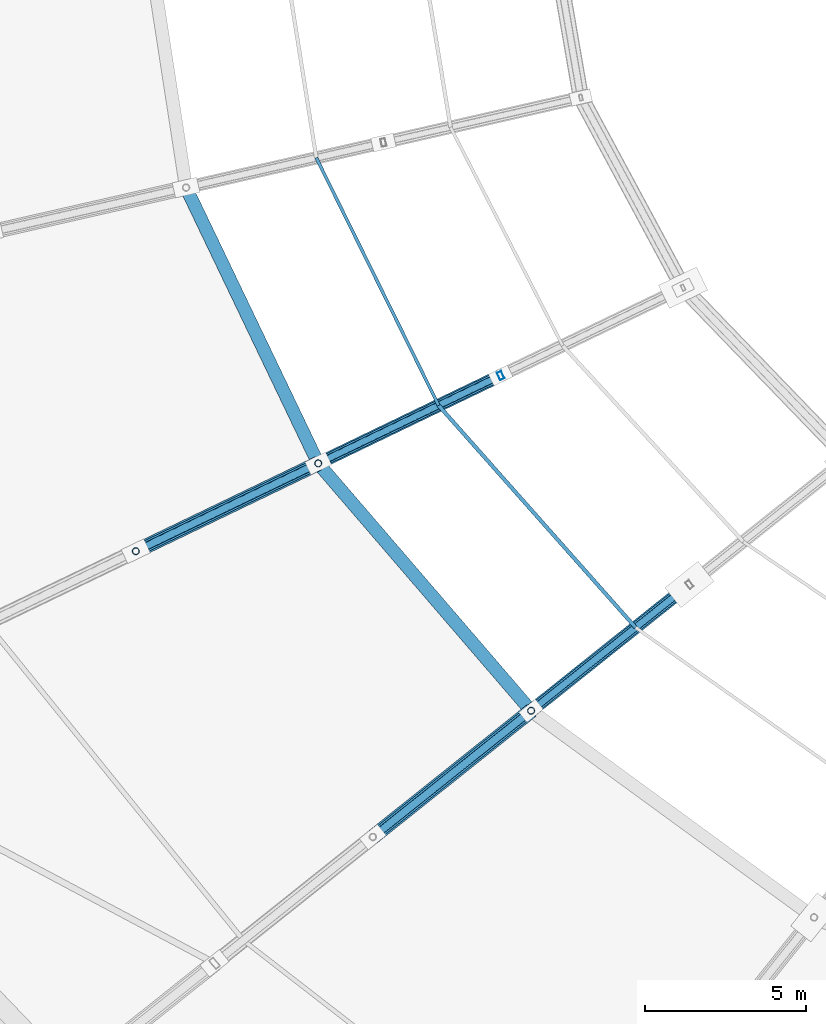
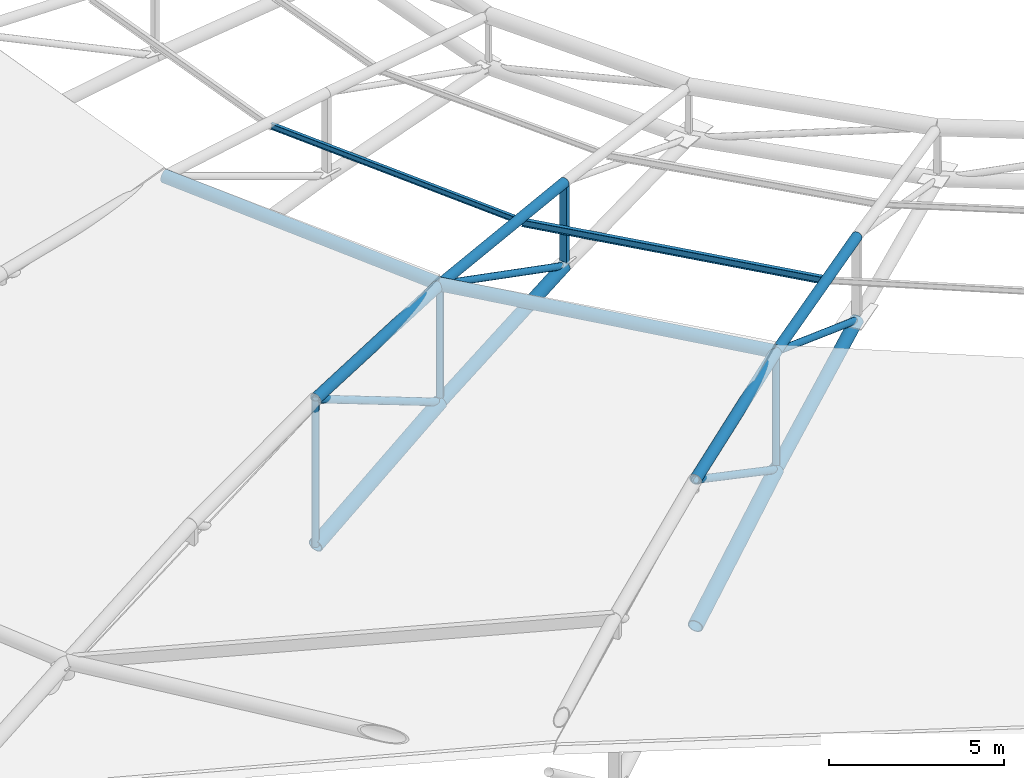
# One storey, part 11 of 108: 20 members.
"""IFC4 building model written with IfcOpenShell, lengths in metres."""

from ifc_helpers import new_model, si_unit, direction, frame, origin, origin_2d, place, context, subcontext, project, spatial, hollow_rectangle, hollow_circle, i_section, extrude, material, material_profile, profile_set, type_object, element, save


model = new_model("IFC4")

# Units and contexts
model_context = context("Model", 3, precision=1e-05, world=origin(), true_north=direction((0.0, 1.0)))
body_context = subcontext(model_context, "Body", "Model", "MODEL_VIEW")
ifc_project = project(units=[si_unit("LENGTHUNIT", "METRE"), si_unit("AREAUNIT", "SQUARE_METRE"), si_unit("VOLUMEUNIT", "CUBIC_METRE"), si_unit("PLANEANGLEUNIT", "RADIAN"), si_unit("MASSUNIT", "GRAM", prefix="KILO")], contexts=[model_context])

# Site, building, storey
site_placement = place(None, origin())
site = spatial("IfcSite", under=ifc_project, at=site_placement, CompositionType="ELEMENT")
building_placement = place(site_placement, origin())
building = spatial("IfcBuilding", under=site, at=building_placement, Name="Zevraka Park Crest Stadium", CompositionType="ELEMENT")
storey_placement = place(building_placement, frame((0.0, 0.0, 29.39990234375)))
storey = spatial("IfcBuildingStorey", under=building, at=storey_placement, Name="RF", CompositionType="ELEMENT", Elevation=29.39990234375)

# Members
ifc_material_1 = material(Name="Steel S355", Category="steel")
ifc_material_profile_1 = material_profile(ifc_material_1, i_section(OverallWidth=0.1201171875, OverallDepth=0.239990234375, WebThickness=0.006103515625, FlangeThickness=0.009765625, at=origin_2d()), Name="IPE 240")
ifc_profile_set_1 = profile_set([ifc_material_profile_1], Name="Steel S355")
member_type_1 = type_object("IfcMemberType", Name="PR01", PredefinedType="PURLIN", material=ifc_profile_set_1)
member_1_placement = place(storey_placement, frame((65.652099609375, 76.18798828125, 9.153076171875), z_axis=(0.663562824721, -0.748120563578, 0.0), x_axis=(0.748120563578, 0.663562824721, 0.0)))
element("IfcMember", 1, at=member_1_placement, inside=storey, type_object=member_type_1, Name="Canopy Roof Purlin PR01 INNER-17-1", PredefinedType="PURLIN", context=body_context, shape_type="SweptSolid", body=[
    extrude(i_section(OverallWidth=0.1201171875, OverallDepth=0.239990234375, WebThickness=0.006103515625, FlangeThickness=0.009765625, at=origin_2d()), origin(), (0.0, 0.0, 1.0), 9.236328125),
])
ifc_material_2 = material(Name="Steel S355", Category="steel")
ifc_material_profile_2 = material_profile(ifc_material_2, i_section(OverallWidth=0.10009765625, OverallDepth=0.199951171875, WebThickness=0.005615234375, FlangeThickness=0.008544921875, at=origin_2d()), Name="IPE 200")
ifc_profile_set_2 = profile_set([ifc_material_profile_2], Name="Steel S355")
member_type_2 = type_object("IfcMemberType", Name="PR03", PredefinedType="PURLIN", material=ifc_profile_set_2)
member_2_placement = place(storey_placement, frame((61.847900390625, 83.89111328125, 9.173095703125), z_axis=(0.442797799381, -0.896621496989, 0.0), x_axis=(0.896621496989, 0.442797799381, 0.0)))
element("IfcMember", 2, at=member_2_placement, inside=storey, type_object=member_type_2, Name="Canopy Roof Purlin PR03 INNER-16-1", PredefinedType="PURLIN", context=body_context, shape_type="SweptSolid", body=[
    extrude(i_section(OverallWidth=0.10009765625, OverallDepth=0.199951171875, WebThickness=0.005615234375, FlangeThickness=0.008544921875, at=origin_2d()), origin(), (0.0, 0.0, 1.0), 8.59130859375),
])
ifc_material_3 = material(Name="Steel S355", Category="steel")
ifc_material_profile_3 = material_profile(ifc_material_3, hollow_circle(Radius=0.228515625, WallThickness=0.02490234375, at=origin_2d()), Name="CHS 457.0x25")
ifc_profile_set_3 = profile_set([ifc_material_profile_3], Name="Steel S355")
member_type_3 = type_object("IfcMemberType", Name="TC02", PredefinedType="CHORD", material=ifc_profile_set_3)
member_3_placement = place(storey_placement, frame((56.22998046875, 71.65087890625, 3.9501953125), z_axis=(0.880989175528, 0.424219270508, 0.209513921093), x_axis=(-0.433848244141, 0.900985960521, 0.0)))
element("IfcMember", 3, at=member_3_placement, inside=storey, type_object=member_type_3, Name="Roof Truss Bottom Chord TC02 T17-5", PredefinedType="CHORD", context=body_context, shape_type="SweptSolid", body=[
    extrude(hollow_circle(Radius=0.228515625, WallThickness=0.02490234375, at=origin_2d()), origin(), (0.0, 0.0, 1.0), 6.44287109375),
])
member_4_placement = place(storey_placement, frame((63.60498046875, 62.758056640625, 3.9501953125), z_axis=(0.764449300006, 0.609687443008, 0.209519663894), x_axis=(-0.623526977414, 0.781801834506, 0.0)))
element("IfcMember", 4, at=member_4_placement, inside=storey, type_object=member_type_3, Name="Roof Truss Bottom Chord TC02 T18-5", PredefinedType="CHORD", context=body_context, shape_type="SweptSolid", body=[
    extrude(hollow_circle(Radius=0.228515625, WallThickness=0.02490234375, at=origin_2d()), origin(), (0.0, 0.0, 1.0), 6.442626953125),
])
ifc_material_4 = material(Name="Steel S355", Category="steel")
ifc_material_profile_4 = material_profile(ifc_material_4, hollow_circle(Radius=0.203125, WallThickness=0.02001953125, at=origin_2d()), Name="CHS 406.4x20")
ifc_profile_set_4 = profile_set([ifc_material_profile_4], Name="Steel S355")
member_type_4 = type_object("IfcMemberType", Name="TC03", PredefinedType="CHORD", material=ifc_profile_set_4)
member_5_placement = place(storey_placement, frame((61.906005859375, 74.384033203125, 5.300048828125), z_axis=(0.887511721766, 0.427474569243, 0.172012895964), x_axis=(-0.433942615061, 0.900940512373, 0.0)))
element("IfcMember", 5, at=member_5_placement, inside=storey, type_object=member_type_4, Name="Roof Truss Bottom Chord TC03 T17-6", PredefinedType="CHORD", context=body_context, shape_type="SweptSolid", body=[
    extrude(hollow_circle(Radius=0.203125, WallThickness=0.02001953125, at=origin_2d()), origin(), (0.0, 0.0, 1.0), 6.3955078125),
])
member_6_placement = place(storey_placement, frame((68.530029296875, 66.68603515625, 5.300048828125), z_axis=(0.770209161073, 0.614159448506, 0.172005872022), x_axis=(-0.623451415626, 0.781862092926, 0.0)))
element("IfcMember", 6, at=member_6_placement, inside=storey, type_object=member_type_4, Name="Roof Truss Bottom Chord TC03 T18-6", PredefinedType="CHORD", context=body_context, shape_type="SweptSolid", body=[
    extrude(hollow_circle(Radius=0.203125, WallThickness=0.02001953125, at=origin_2d()), origin(), (0.0, 0.0, 1.0), 6.395751953125),
])
member_7_placement = place(storey_placement, frame((57.7939453125, 82.966064453125, 9.400146484375), z_axis=(0.432106270743, -0.901822693651, 0.0), x_axis=(0.901822693651, 0.432106270743, 0.0)))
element("IfcMember", 7, at=member_7_placement, inside=storey, type_object=member_type_4, Name="Roof Canopy Arch Crown Ring Chord TC03 16", PredefinedType="CHORD", context=body_context, shape_type="SweptSolid", body=[
    extrude(hollow_circle(Radius=0.203125, WallThickness=0.02001953125, at=origin_2d()), origin(), (0.0, 0.0, 1.0), 9.516357421875),
])
member_8_placement = place(storey_placement, frame((61.906005859375, 74.384033203125, 9.400146484375), z_axis=(0.652251230259, -0.758002857927, 0.0), x_axis=(0.758002857927, 0.652251230259, 0.0)))
element("IfcMember", 8, at=member_8_placement, inside=storey, type_object=member_type_4, Name="Roof Canopy Arch Crown Ring Chord TC03 17", PredefinedType="CHORD", context=body_context, shape_type="SweptSolid", body=[
    extrude(hollow_circle(Radius=0.203125, WallThickness=0.02001953125, at=origin_2d()), origin(), (0.0, 0.0, 1.0), 10.155517578125),
])
ifc_material_5 = material(Name="Steel S355", Category="steel")
ifc_material_profile_5 = material_profile(ifc_material_5, hollow_circle(Radius=0.161865234375, WallThickness=0.01611328125, at=origin_2d()), Name="CHS 323.9x16")
ifc_profile_set_5 = profile_set([ifc_material_profile_5], Name="Steel S355")
member_type_5 = type_object("IfcMemberType", Name="TC04", PredefinedType="CHORD", material=ifc_profile_set_5)
member_9_placement = place(storey_placement, frame((61.906005859375, 74.384033203125, 9.400146484375), z_axis=(0.900826818961, 0.433887854047, -0.015886231484), x_axis=(-0.433942615061, 0.900940512373, 0.0)))
element("IfcMember", 9, at=member_9_placement, inside=storey, type_object=member_type_5, Name="Roof Truss Top Chord TC04 T17-6", PredefinedType="CHORD", context=body_context, shape_type="SweptSolid", body=[
    extrude(hollow_circle(Radius=0.161865234375, WallThickness=0.01611328125, at=origin_2d()), origin(), (0.0, 0.0, 1.0), 6.301025390625),
])
member_10_placement = place(storey_placement, frame((68.530029296875, 66.68603515625, 9.400146484375), z_axis=(0.781763434815, 0.623372746332, -0.01588556318), x_axis=(-0.623451415626, 0.781862092926, 0.0)))
element("IfcMember", 10, at=member_10_placement, inside=storey, type_object=member_type_5, Name="Roof Truss Top Chord TC04 T18-6", PredefinedType="CHORD", context=body_context, shape_type="SweptSolid", body=[
    extrude(hollow_circle(Radius=0.161865234375, WallThickness=0.01611328125, at=origin_2d()), origin(), (0.0, 0.0, 1.0), 6.30126953125),
])
ifc_material_6 = material(Name="Steel S355", Category="steel")
ifc_material_profile_6 = material_profile(ifc_material_6, hollow_circle(Radius=0.177734375, WallThickness=0.01611328125, at=origin_2d()), Name="CHS 355.6x16")
ifc_profile_set_6 = profile_set([ifc_material_profile_6], Name="Steel S355")
member_type_6 = type_object("IfcMemberType", Name="TC05", PredefinedType="CHORD", material=ifc_profile_set_6)
member_11_placement = place(storey_placement, frame((56.22998046875, 71.65087890625, 9.050048828125), z_axis=(0.899597897112, 0.433179855399, 0.0554872633), x_axis=(-0.433848244141, 0.900985960521, 0.0)))
element("IfcMember", 11, at=member_11_placement, inside=storey, type_object=member_type_6, Name="Roof Truss Top Chord TC05 T17-5", PredefinedType="CHORD", context=body_context, shape_type="SweptSolid", body=[
    extrude(hollow_circle(Radius=0.177734375, WallThickness=0.01611328125, at=origin_2d()), origin(), (0.0, 0.0, 1.0), 6.3095703125),
])
member_12_placement = place(storey_placement, frame((63.60498046875, 62.758056640625, 9.050048828125), z_axis=(0.780597317848, 0.622566313729, 0.055488849145), x_axis=(-0.623526977414, 0.781801834506, 0.0)))
element("IfcMember", 12, at=member_12_placement, inside=storey, type_object=member_type_6, Name="Roof Truss Top Chord TC05 T18-5", PredefinedType="CHORD", context=body_context, shape_type="SweptSolid", body=[
    extrude(hollow_circle(Radius=0.177734375, WallThickness=0.01611328125, at=origin_2d()), origin(), (0.0, 0.0, 1.0), 6.309326171875),
])
ifc_material_7 = material(Name="Steel S355", Category="steel")
ifc_material_profile_7 = material_profile(ifc_material_7, hollow_circle(Radius=0.109619140625, WallThickness=0.010009765625, at=origin_2d()), Name="CHS 219.1x10")
ifc_profile_set_7 = profile_set([ifc_material_profile_7], Name="Steel S355")
member_type_7 = type_object("IfcMemberType", Name="WB02", PredefinedType="BRACE", material=ifc_profile_set_7)
member_13_placement = place(storey_placement, frame((56.22998046875, 71.65087890625, 3.9501953125), z_axis=(0.0, 0.0, 1.0), x_axis=(0.90100131981, 0.43381634559, 0.0)))
element("IfcMember", 13, at=member_13_placement, inside=storey, type_object=member_type_7, Name="Roof Truss Web Post WB02 T17-4", PredefinedType="BRACE", context=body_context, shape_type="SweptSolid", body=[
    extrude(hollow_circle(Radius=0.109619140625, WallThickness=0.010009765625, at=origin_2d()), origin(), (0.0, 0.0, 1.0), 5.099853515625),
])
member_14_placement = place(storey_placement, frame((61.906005859375, 74.384033203125, 5.300048828125), z_axis=(0.0, 0.0, 1.0), x_axis=(0.90100131981, 0.43381634559, 0.0)))
element("IfcMember", 14, at=member_14_placement, inside=storey, type_object=member_type_7, Name="Roof Truss Web Post WB02 T17-5", PredefinedType="BRACE", context=body_context, shape_type="SweptSolid", body=[
    extrude(hollow_circle(Radius=0.109619140625, WallThickness=0.010009765625, at=origin_2d()), origin(), (0.0, 0.0, 1.0), 4.10009765625),
])
member_15_placement = place(storey_placement, frame((67.58203125, 77.117919921875, 6.400146484375), z_axis=(-0.813426271688, -0.391790932529, 0.429927395866), x_axis=(0.433942615061, -0.900940512373, 0.0)))
element("IfcMember", 15, at=member_15_placement, inside=storey, type_object=member_type_7, Name="Roof Truss Web Diagonal WB02 T17-6", PredefinedType="BRACE", context=body_context, shape_type="SweptSolid", body=[
    extrude(hollow_circle(Radius=0.109619140625, WallThickness=0.010009765625, at=origin_2d()), origin(), (0.0, 0.0, 1.0), 6.97802734375),
])
member_16_placement = place(storey_placement, frame((68.530029296875, 66.68603515625, 5.300048828125), z_axis=(0.0, 0.0, 1.0), x_axis=(0.781847027868, 0.623470308046, 0.0)))
element("IfcMember", 16, at=member_16_placement, inside=storey, type_object=member_type_7, Name="Roof Truss Web Post WB02 T18-5", PredefinedType="BRACE", context=body_context, shape_type="SweptSolid", body=[
    extrude(hollow_circle(Radius=0.109619140625, WallThickness=0.010009765625, at=origin_2d()), origin(), (0.0, 0.0, 1.0), 4.10009765625),
])
member_17_placement = place(storey_placement, frame((73.4560546875, 70.614013671875, 6.400146484375), z_axis=(-0.70592020781, -0.562895882612, 0.429912648737), x_axis=(0.623451415626, -0.781862092926, 0.0)))
element("IfcMember", 17, at=member_17_placement, inside=storey, type_object=member_type_7, Name="Roof Truss Web Diagonal WB02 T18-6", PredefinedType="BRACE", context=body_context, shape_type="SweptSolid", body=[
    extrude(hollow_circle(Radius=0.109619140625, WallThickness=0.010009765625, at=origin_2d()), origin(), (0.0, 0.0, 1.0), 6.978271484375),
])
ifc_material_8 = material(Name="Steel S355", Category="steel")
ifc_material_profile_8 = material_profile(ifc_material_8, hollow_rectangle(XDim=0.14990234375, YDim=0.25, WallThickness=0.010009765625, at=origin_2d()), Name="RHS 250x150x10")
ifc_profile_set_8 = profile_set([ifc_material_profile_8], Name="Steel S355")
member_type_8 = type_object("IfcMemberType", Name="WB04", PredefinedType="BRACE", material=ifc_profile_set_8)
member_18_placement = place(storey_placement, frame((67.58203125, 77.117919921875, 6.400146484375), z_axis=(0.0, 0.0, 1.0), x_axis=(0.90100131981, 0.43381634559, 0.0)))
element("IfcMember", 18, at=member_18_placement, inside=storey, type_object=member_type_8, Name="Roof Truss Web Post WB04 T17-6", PredefinedType="BRACE", context=body_context, shape_type="SweptSolid", body=[
    extrude(hollow_rectangle(XDim=0.14990234375, YDim=0.25, WallThickness=0.010009765625, at=origin_2d()), origin(), (0.0, 0.0, 1.0), 2.89990234375),
])
ifc_material_9 = material(Name="Steel S355", Category="steel")
ifc_material_profile_9 = material_profile(ifc_material_9, hollow_circle(Radius=0.122314453125, WallThickness=0.012451171875, at=origin_2d()), Name="CHS 244.5x12.5")
ifc_profile_set_9 = profile_set([ifc_material_profile_9], Name="Steel S355")
member_type_9 = type_object("IfcMemberType", Name="WB07", PredefinedType="BRACE", material=ifc_profile_set_9)
member_19_placement = place(storey_placement, frame((61.906005859375, 74.384033203125, 5.300048828125), z_axis=(-0.774204181768, -0.372799510297, 0.511496246374), x_axis=(0.433848244141, -0.900985960521, 0.0)))
element("IfcMember", 19, at=member_19_placement, inside=storey, type_object=member_type_9, Name="Roof Truss Web Diagonal WB07 T17-5", PredefinedType="BRACE", context=body_context, shape_type="SweptSolid", body=[
    extrude(hollow_circle(Radius=0.122314453125, WallThickness=0.012451171875, at=origin_2d()), origin(), (0.0, 0.0, 1.0), 7.33154296875),
])
member_20_placement = place(storey_placement, frame((68.530029296875, 66.68603515625, 5.300048828125), z_axis=(-0.671785950307, -0.535783678902, 0.511507073649), x_axis=(0.623526977414, -0.781801834506, 0.0)))
element("IfcMember", 20, at=member_20_placement, inside=storey, type_object=member_type_9, Name="Roof Truss Web Diagonal WB07 T18-5", PredefinedType="BRACE", context=body_context, shape_type="SweptSolid", body=[
    extrude(hollow_circle(Radius=0.122314453125, WallThickness=0.012451171875, at=origin_2d()), origin(), (0.0, 0.0, 1.0), 7.331298828125),
])

save(model, "model.ifc")
